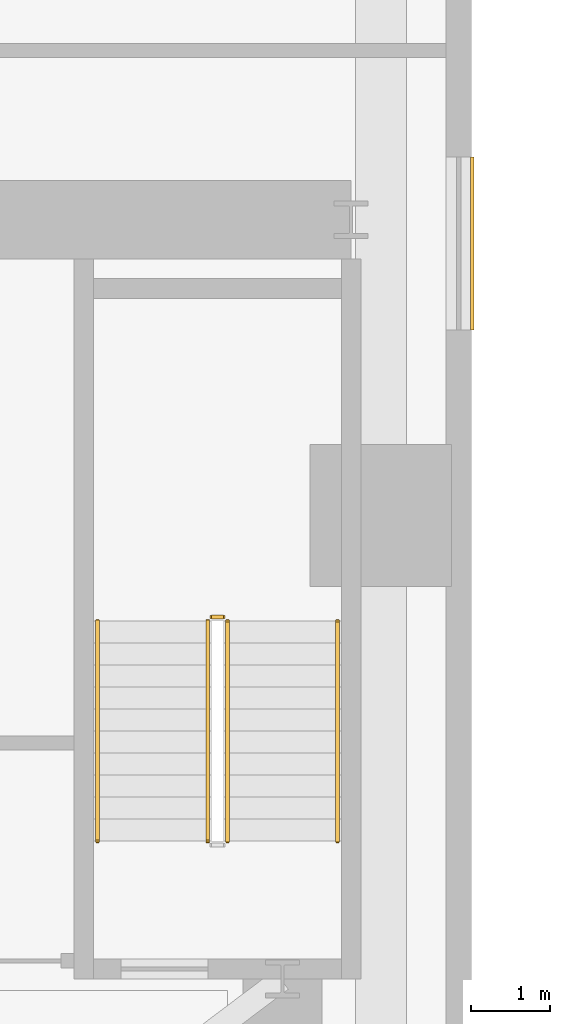
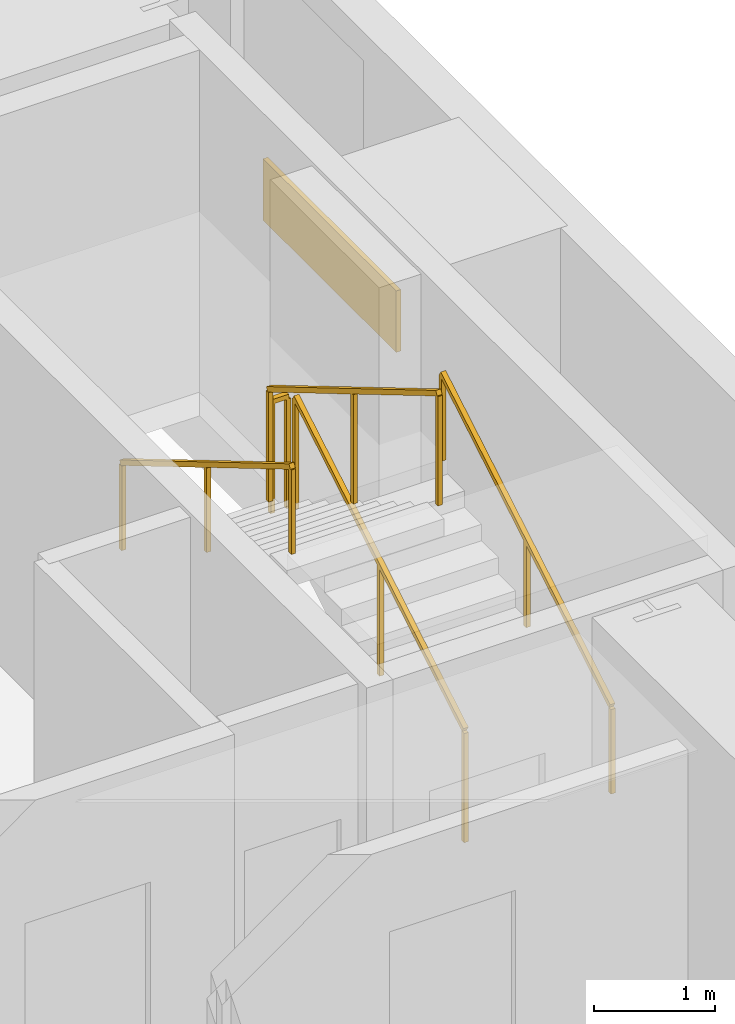
# One storey, part 13 of 13: 5 railings, 1 covering.
"""IFC4 building model written with IfcOpenShell, lengths in metres."""

from ifc_helpers import new_model, si_unit, direction, frame, origin, origin_2d, place, context, subcontext, project, spatial, rectangle, extrude, source, transform, mapped, material, layer, layer_set, type_object, element, save


model = new_model("IFC4")

# Units and contexts
model_context = context("Model", 3, precision=1e-05, world=origin(), true_north=direction((0.0, 1.0)))
body_context = subcontext(model_context, "Body", "Model", "MODEL_VIEW")
ifc_project = project(units=[si_unit("LENGTHUNIT", "METRE"), si_unit("AREAUNIT", "SQUARE_METRE"), si_unit("VOLUMEUNIT", "CUBIC_METRE"), si_unit("PLANEANGLEUNIT", "RADIAN"), si_unit("MASSUNIT", "GRAM", prefix="KILO")], contexts=[model_context])

# Site, building, storey
site_placement = place(None, origin())
site = spatial("IfcSite", under=ifc_project, at=site_placement, CompositionType="ELEMENT")
building_placement = place(site_placement, origin())
building = spatial("IfcBuilding", under=site, at=building_placement, Name="Vardaveli Station Tower", CompositionType="ELEMENT")
storey_placement = place(building_placement, frame((0.0, 0.0, 38.550048828125)))
storey = spatial("IfcBuildingStorey", under=building, at=storey_placement, Name="L09", CompositionType="ELEMENT", Elevation=38.550048828125)

# Covering
ifc_material_1 = material(Name="Ventilated honed travertine stone cladding", Category="masonry")
ifc_layer = layer(ifc_material_1, 0.044921875, Name="Ventilated honed travertine stone cladding")
ifc_layer_set = layer_set([ifc_layer], Name="Ventilated honed travertine stone cladding")
covering_type = type_object("IfcCoveringType", Name="COV-CLAD-TR45", PredefinedType="CLADDING", material=ifc_layer_set)
shared_shape_1 = source(origin(), body_context, "Body", "SweptSolid", [
    extrude(rectangle(XDim=2.199951171875, YDim=0.044921875, at=origin_2d()), origin(), (0.0, 0.0, 1.0), 0.6201171875),
])
covering_placement = place(storey_placement, frame((48.91455078125, 39.9951171875, 0.06982421875), z_axis=(0.0, 0.0, 1.0), x_axis=(0.0, 1.0, 0.0)))
element("IfcCovering", 1, at=covering_placement, inside=storey, type_object=covering_type, Name="CLD-TR-L09-E", PredefinedType="CLADDING", context=body_context, shape_type="MappedRepresentation", body=[
    mapped(shared_shape_1, transform((0.0, 0.0, 0.0), scale=1.0)),
])

# Railings
ifc_material_2 = material(Name="Brushed AISI 316 stainless steel", Category="steel")
railing_type_1 = type_object("IfcRailingType", Name="RL-GUARD-1150", PredefinedType="GUARDRAIL", material=ifc_material_2)
shared_shape_2 = source(origin(), body_context, "Body", "SweptSolid", [
    extrude(rectangle(XDim=0.048095703125, YDim=0.048095703125, at=origin_2d()), frame((0.0, 0.0, 1.1259765625), z_axis=(-1.0, 0.0, 0.0), x_axis=(0.0, -1.0, 0.0)), (0.0, 0.0, 1.0), 0.14990234375),
    extrude(rectangle(XDim=0.0419921875, YDim=0.0419921875, at=origin_2d()), origin(), (0.0, 0.0, 1.0), 1.101806640625),
    extrude(rectangle(XDim=0.0419921875, YDim=0.0419921875, at=origin_2d()), frame((-0.14990234375, 0.0, 0.0)), (0.0, 0.0, 1.0), 1.101806640625),
])
railing_1_placement = place(storey_placement, frame((45.75, 35.25, 1.824951171875)))
element("IfcRailing", 2, at=railing_1_placement, inside=storey, type_object=railing_type_1, Name="L09 ST-3 stair guard 2", PredefinedType="GUARDRAIL", context=body_context, shape_type="MappedRepresentation", body=[
    mapped(shared_shape_2, transform((0.0, 0.0, 0.0), scale=1.0)),
])
shared_shape_3 = source(origin(), body_context, "Body", "SweptSolid", [
    extrude(rectangle(XDim=0.048095703125, YDim=0.048095703125, at=origin_2d()), frame((0.0, 0.0, 1.1259765625), z_axis=(0.0, 0.860306154799, 0.50977771628), x_axis=(-1.0, 0.0, 0.0)), (0.0, 0.0, 1.0), 3.254638671875),
    extrude(rectangle(XDim=0.0419921875, YDim=0.0419921875, at=origin_2d()), origin(), (0.0, 0.0, 1.0), 1.101806640625),
    extrude(rectangle(XDim=0.0419921875, YDim=0.0419921875, at=origin_2d()), frame((0.0, 1.39990234375, 0.82958984375)), (0.0, 0.0, 1.0), 1.101806640625),
    extrude(rectangle(XDim=0.0419921875, YDim=0.0419921875, at=origin_2d()), frame((0.0, 2.800048828125, 1.6591796875)), (0.0, 0.0, 1.0), 1.101806640625),
])
railing_2_placement = place(storey_placement, frame((45.800048828125, 32.39990234375, 0.165771484375)))
element("IfcRailing", 3, at=railing_2_placement, inside=storey, type_object=railing_type_1, Name="L09 ST-3 stair guard 1", PredefinedType="GUARDRAIL", context=body_context, shape_type="MappedRepresentation", body=[
    mapped(shared_shape_3, transform((0.0, 0.0, 0.0), scale=1.0)),
])
railing_type_2 = type_object("IfcRailingType", Name="RL-HAND-900", PredefinedType="HANDRAIL", material=ifc_material_2)
shared_shape_4 = source(origin(), body_context, "Body", "SweptSolid", [
    extrude(rectangle(XDim=0.048095703125, YDim=0.048095703125, at=origin_2d()), frame((0.0, 0.0, 0.8759765625), z_axis=(0.0, 0.860306154799, 0.50977771628), x_axis=(-1.0, 0.0, 0.0)), (0.0, 0.0, 1.0), 3.254638671875),
    extrude(rectangle(XDim=0.0419921875, YDim=0.0419921875, at=origin_2d()), origin(), (0.0, 0.0, 1.0), 0.851806640625),
    extrude(rectangle(XDim=0.0419921875, YDim=0.0419921875, at=origin_2d()), frame((0.0, 1.39990234375, 0.82958984375)), (0.0, 0.0, 1.0), 0.851806640625),
    extrude(rectangle(XDim=0.0419921875, YDim=0.0419921875, at=origin_2d()), frame((0.0, 2.800048828125, 1.6591796875)), (0.0, 0.0, 1.0), 0.851806640625),
])
railing_3_placement = place(storey_placement, frame((47.199951171875, 32.39990234375, 0.165771484375)))
element("IfcRailing", 4, at=railing_3_placement, inside=storey, type_object=railing_type_2, Name="L09 ST-3 stair handrail 1", PredefinedType="HANDRAIL", context=body_context, shape_type="MappedRepresentation", body=[
    mapped(shared_shape_4, transform((0.0, 0.0, 0.0), scale=1.0)),
])
shared_shape_5 = source(origin(), body_context, "Body", "SweptSolid", [
    extrude(rectangle(XDim=0.048095703125, YDim=0.048095703125, at=origin_2d()), frame((0.0, 0.0, 1.1259765625), z_axis=(0.0, -0.860339051648, 0.50972219513), x_axis=(1.0, 0.0, 0.0)), (0.0, 0.0, 1.0), 3.254638671875),
    extrude(rectangle(XDim=0.0419921875, YDim=0.0419921875, at=origin_2d()), origin(), (0.0, 0.0, 1.0), 1.101806640625),
    extrude(rectangle(XDim=0.0419921875, YDim=0.0419921875, at=origin_2d()), frame((0.0, -1.39990234375, 0.82958984375)), (0.0, 0.0, 1.0), 1.101806640625),
    extrude(rectangle(XDim=0.0419921875, YDim=0.0419921875, at=origin_2d()), frame((0.0, -2.800048828125, 1.658935546875)), (0.0, 0.0, 1.0), 1.101806640625),
])
railing_4_placement = place(storey_placement, frame((45.550048828125, 35.199951171875, 1.990966796875)))
element("IfcRailing", 5, at=railing_4_placement, inside=storey, type_object=railing_type_1, Name="L09 ST-3 stair guard 3", PredefinedType="GUARDRAIL", context=body_context, shape_type="MappedRepresentation", body=[
    mapped(shared_shape_5, transform((0.0, 0.0, 0.0), scale=1.0)),
])
shared_shape_6 = source(origin(), body_context, "Body", "SweptSolid", [
    extrude(rectangle(XDim=0.048095703125, YDim=0.048095703125, at=origin_2d()), frame((0.0, 0.0, 0.8759765625), z_axis=(0.0, -0.860339051648, 0.50972219513), x_axis=(1.0, 0.0, 0.0)), (0.0, 0.0, 1.0), 3.254638671875),
    extrude(rectangle(XDim=0.0419921875, YDim=0.0419921875, at=origin_2d()), origin(), (0.0, 0.0, 1.0), 0.851806640625),
    extrude(rectangle(XDim=0.0419921875, YDim=0.0419921875, at=origin_2d()), frame((0.0, -1.39990234375, 0.82958984375)), (0.0, 0.0, 1.0), 0.851806640625),
    extrude(rectangle(XDim=0.0419921875, YDim=0.0419921875, at=origin_2d()), frame((0.0, -2.800048828125, 1.658935546875)), (0.0, 0.0, 1.0), 0.851806640625),
])
railing_5_placement = place(storey_placement, frame((44.14990234375, 35.199951171875, 1.990966796875)))
element("IfcRailing", 6, at=railing_5_placement, inside=storey, type_object=railing_type_2, Name="L09 ST-3 stair handrail 2", PredefinedType="HANDRAIL", context=body_context, shape_type="MappedRepresentation", body=[
    mapped(shared_shape_6, transform((0.0, 0.0, 0.0), scale=1.0)),
])

save(model, "model.ifc")
